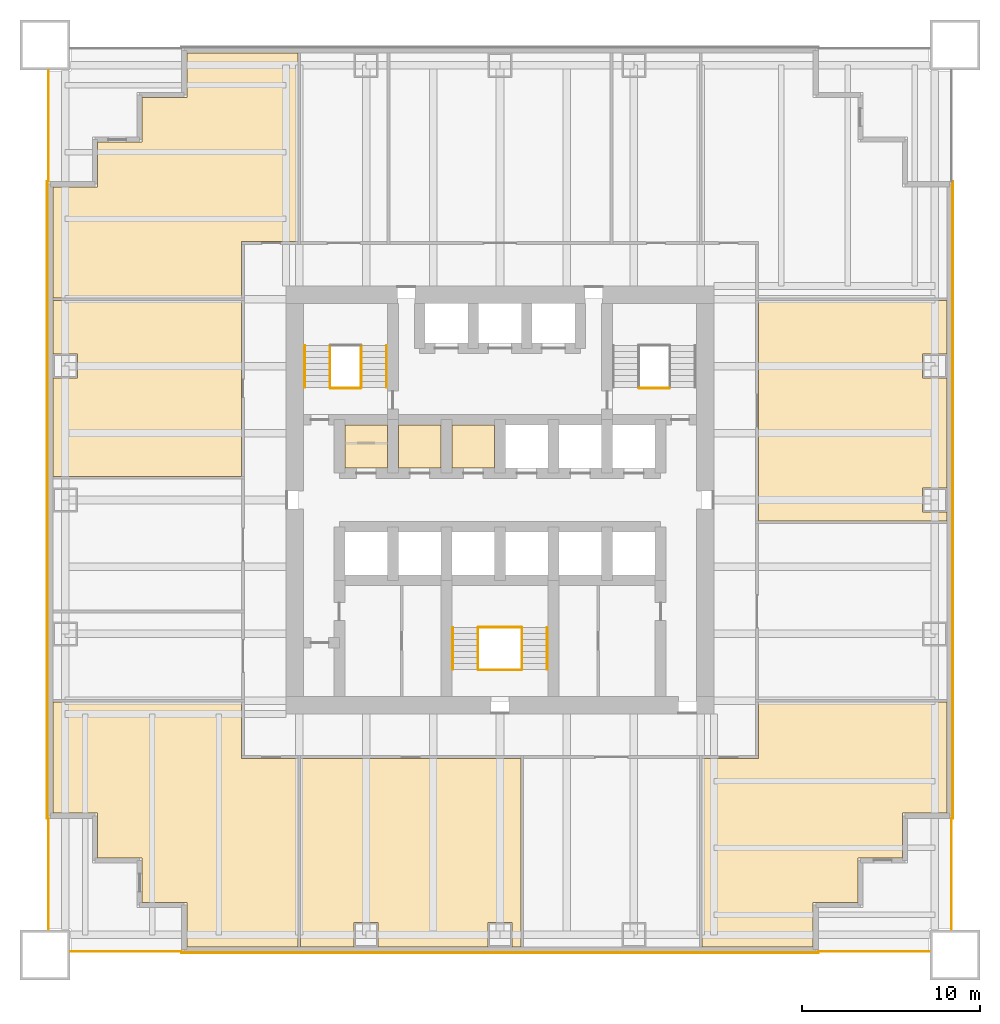
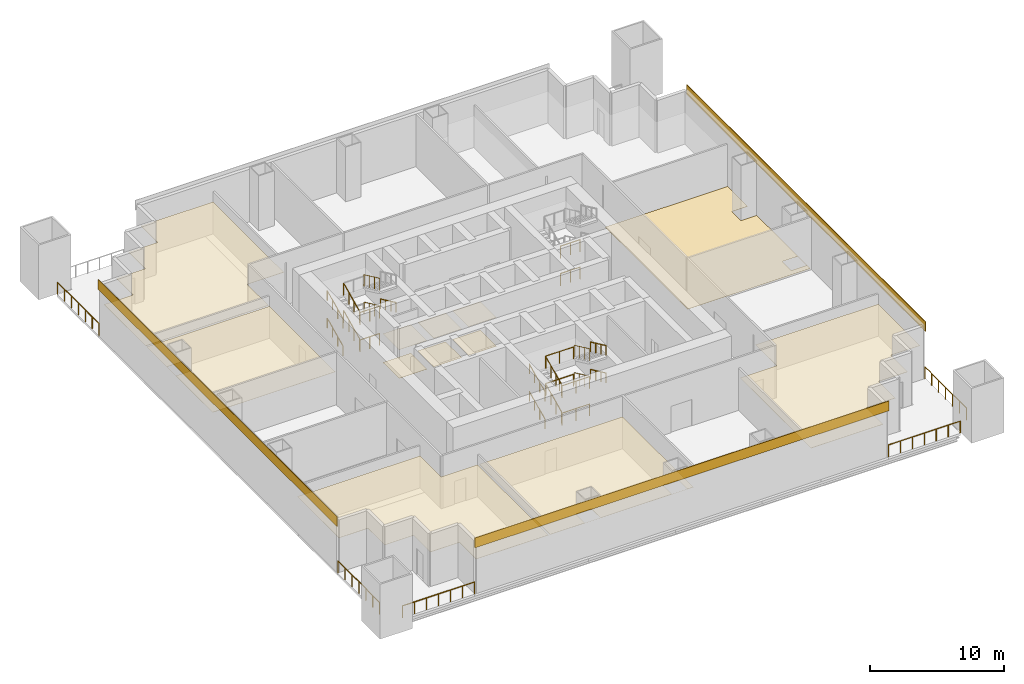
# One storey, part 5 of 6: 28 railings, 15 coverings.
"""IFC4 building model written with IfcOpenShell, lengths in metres."""

from ifc_helpers import new_model, si_unit, direction, frame, origin, origin_2d, place, context, subcontext, project, spatial, polyline, rectangle, circle, outline, extrude, material, layer, layer_set, type_object, element, save


model = new_model("IFC4")

# Units and contexts
model_context = context("Model", 3, precision=1e-05, world=origin(), true_north=direction((0.0, 1.0)))
body_context = subcontext(model_context, "Body", "Model", "MODEL_VIEW")
ifc_project = project(units=[si_unit("LENGTHUNIT", "METRE"), si_unit("AREAUNIT", "SQUARE_METRE"), si_unit("VOLUMEUNIT", "CUBIC_METRE"), si_unit("PLANEANGLEUNIT", "RADIAN"), si_unit("MASSUNIT", "GRAM", prefix="KILO")], contexts=[model_context])

# Site, building, storey
site_placement = place(None, origin())
site = spatial("IfcSite", under=ifc_project, at=site_placement, CompositionType="ELEMENT")
building_placement = place(site_placement, origin())
building = spatial("IfcBuilding", under=site, at=building_placement, Name="Tarangal Relay Tower", CompositionType="ELEMENT")
storey_placement = place(building_placement, frame((0.0, 0.0, 68.39990234375)))
storey = spatial("IfcBuildingStorey", under=building, at=storey_placement, Name="L13", CompositionType="ELEMENT", Elevation=68.39990234375)

# Coverings
ifc_material_1 = material(Name="Anti-static vinyl flooring", Category="plastic")
ifc_layer_1 = layer(ifc_material_1, 0.010009765625)
ifc_layer_set_1 = layer_set([ifc_layer_1], Name="Anti-static vinyl floor")
covering_type_1 = type_object("IfcCoveringType", Name="Anti-static vinyl floor", PredefinedType="FLOORING", material=ifc_layer_set_1)
covering_1_placement = place(storey_placement, origin())
element("IfcCovering", 1, at=covering_1_placement, inside=storey, type_object=covering_type_1, Name="Floor finish FL1 L13-D1", PredefinedType="FLOORING", context=body_context, shape_type="SweptSolid", body=[
    extrude(outline(polyline([(-8.699951171875, 1.800048828125), (-6.300048828125, 1.800048828125), (-6.300048828125, 4.199951171875), (-8.699951171875, 4.199951171875), (-8.699951171875, 1.800048828125)])), origin(), (0.0, 0.0, 1.0), 0.010009765625),
])
covering_2_placement = place(storey_placement, origin())
element("IfcCovering", 2, at=covering_2_placement, inside=storey, type_object=covering_type_1, Name="Floor finish FL1 L13-D2", PredefinedType="FLOORING", context=body_context, shape_type="SweptSolid", body=[
    extrude(outline(polyline([(-5.699951171875, 1.800048828125), (-3.300048828125, 1.800048828125), (-3.300048828125, 4.199951171875), (-5.699951171875, 4.199951171875), (-5.699951171875, 1.800048828125)])), origin(), (0.0, 0.0, 1.0), 0.010009765625),
])
covering_3_placement = place(storey_placement, origin())
element("IfcCovering", 3, at=covering_3_placement, inside=storey, type_object=covering_type_1, Name="Floor finish FL1 L13-D3", PredefinedType="FLOORING", context=body_context, shape_type="SweptSolid", body=[
    extrude(outline(polyline([(-2.699951171875, 1.800048828125), (-0.300048828125, 1.800048828125), (-0.300048828125, 4.199951171875), (-2.699951171875, 4.199951171875), (-2.699951171875, 1.800048828125)])), origin(), (0.0, 0.0, 1.0), 0.010009765625),
])
covering_4_placement = place(storey_placement, origin())
element("IfcCovering", 4, at=covering_4_placement, inside=storey, type_object=covering_type_1, Name="Floor finish FL1 L13-05", PredefinedType="FLOORING", context=body_context, shape_type="SweptSolid", body=[
    extrude(outline(polyline([(25.050048828125, -1.175048828125), (25.050048828125, 11.175048828125), (14.47509765625, 11.175048828125), (14.47509765625, -1.175048828125), (25.050048828125, -1.175048828125)]), holes=[polyline([(25.0400390625, -0.675048828125), (25.0400390625, 0.675048828125), (23.68994140625, 0.675048828125), (23.68994140625, -0.675048828125), (25.0400390625, -0.675048828125)]), polyline([(25.0400390625, 6.824951171875), (25.0400390625, 8.175048828125), (23.68994140625, 8.175048828125), (23.68994140625, 6.824951171875), (25.0400390625, 6.824951171875)])]), origin(), (0.0, 0.0, 1.0), 0.010009765625),
])
ifc_material_2 = material(Name="Black anodised aluminium cladding", Category="aluminium")
ifc_layer_2 = layer(ifc_material_2, 0.050048828125)
ifc_layer_set_2 = layer_set([ifc_layer_2], Name="Black metal spandrel band")
covering_type_2 = type_object("IfcCoveringType", Name="Black metal spandrel band", PredefinedType="CLADDING", material=ifc_layer_set_2)
for number, where, z_axis, x_axis, name in (
    (5, (25.375, 0.0, 4.250244140625), (0.0, 0.0, 1.0), (0.0, -1.0, 0.0), "Spandrel band SB1 E L13"),
    (6, (0.0, -25.375, 4.250244140625), (0.0, 0.0, 1.0), (-1.0, 0.0, 0.0), "Spandrel band SB1 S L13"),
    (7, (-25.375, 0.0, 4.250244140625), (0.0, 0.0, 1.0), (0.0, 1.0, 0.0), "Spandrel band SB1 W L13"),
):
    element("IfcCovering", number, at=place(storey_placement, frame(where, z_axis=z_axis, x_axis=x_axis)), inside=storey, type_object=covering_type_2, Name=name, PredefinedType="CLADDING", context=body_context, shape_type="SweptSolid", body=[
        extrude(rectangle(XDim=35.699951171875, YDim=0.050048828125, at=origin_2d()), origin(), (0.0, 0.0, 1.0), 0.89990234375),
    ])

# Railings
ifc_material_3 = material(Name="Steel guard, black finish", Category="steel")
railing_type_1 = type_object("IfcRailingType", Name="Stair guard 1100", PredefinedType="GUARDRAIL", material=ifc_material_3)
railing_1_placement = place(storey_placement, frame((-9.530029296875, 6.300048828125, 0.156494140625)))
element("IfcRailing", 8, at=railing_1_placement, inside=storey, type_object=railing_type_1, Name="Stair ST-A guard GR1 L13 flight 1", PredefinedType="GUARDRAIL", context=body_context, shape_type="SweptSolid", body=[
    extrude(circle(Radius=0.02392578125, at=origin_2d()), frame((0.0, 0.0, 1.076171875), z_axis=(0.0, 0.906303632821, 0.42262717037), x_axis=(-1.0, 0.0, 0.0)), (0.0, 0.0, 1.0), 2.58740234375),
    extrude(circle(Radius=0.02099609375, at=origin_2d()), origin(), (0.0, 0.0, 1.0), 1.052001953125),
    extrude(circle(Radius=0.02099609375, at=origin_2d()), frame((0.0, 0.78173828125, 0.364501953125)), (0.0, 0.0, 1.0), 1.052001953125),
    extrude(circle(Radius=0.02099609375, at=origin_2d()), frame((0.0, 1.563232421875, 0.72900390625)), (0.0, 0.0, 1.0), 1.052001953125),
    extrude(circle(Radius=0.02099609375, at=origin_2d()), frame((0.0, 2.344970703125, 1.093505859375)), (0.0, 0.0, 1.0), 1.052001953125),
])
railing_2_placement = place(storey_placement, frame((-7.77001953125, 8.64501953125, 1.406494140625)))
element("IfcRailing", 9, at=railing_2_placement, inside=storey, type_object=railing_type_1, Name="Stair ST-A guard GR1 L13 flight 2", PredefinedType="GUARDRAIL", context=body_context, shape_type="SweptSolid", body=[
    extrude(circle(Radius=0.02392578125, at=origin_2d()), frame((0.0, 0.0, 1.076171875), z_axis=(0.0, -0.906303632821, 0.42262717037), x_axis=(1.0, 0.0, 0.0)), (0.0, 0.0, 1.0), 2.58740234375),
    extrude(circle(Radius=0.02099609375, at=origin_2d()), origin(), (0.0, 0.0, 1.0), 1.052001953125),
    extrude(circle(Radius=0.02099609375, at=origin_2d()), frame((0.0, -0.78173828125, 0.364501953125)), (0.0, 0.0, 1.0), 1.052001953125),
    extrude(circle(Radius=0.02099609375, at=origin_2d()), frame((0.0, -1.563232421875, 0.72900390625)), (0.0, 0.0, 1.0), 1.052001953125),
    extrude(circle(Radius=0.02099609375, at=origin_2d()), frame((0.0, -2.344970703125, 1.093505859375)), (0.0, 0.0, 1.0), 1.052001953125),
])
railing_3_placement = place(storey_placement, frame((-9.530029296875, 6.300048828125, 2.656494140625)))
element("IfcRailing", 10, at=railing_3_placement, inside=storey, type_object=railing_type_1, Name="Stair ST-A guard GR1 L13 flight 3", PredefinedType="GUARDRAIL", context=body_context, shape_type="SweptSolid", body=[
    extrude(circle(Radius=0.02392578125, at=origin_2d()), frame((0.0, 0.0, 1.076171875), z_axis=(0.0, 0.906303632821, 0.42262717037), x_axis=(-1.0, 0.0, 0.0)), (0.0, 0.0, 1.0), 2.58740234375),
    extrude(circle(Radius=0.02099609375, at=origin_2d()), origin(), (0.0, 0.0, 1.0), 1.052001953125),
    extrude(circle(Radius=0.02099609375, at=origin_2d()), frame((0.0, 0.78173828125, 0.364501953125)), (0.0, 0.0, 1.0), 1.052001953125),
    extrude(circle(Radius=0.02099609375, at=origin_2d()), frame((0.0, 1.563232421875, 0.72900390625)), (0.0, 0.0, 1.0), 1.052001953125),
    extrude(circle(Radius=0.02099609375, at=origin_2d()), frame((0.0, 2.344970703125, 1.093505859375)), (0.0, 0.0, 1.0), 1.052001953125),
])
railing_4_placement = place(storey_placement, frame((-7.77001953125, 8.64501953125, 3.906494140625)))
element("IfcRailing", 11, at=railing_4_placement, inside=storey, type_object=railing_type_1, Name="Stair ST-A guard GR1 L13 flight 4", PredefinedType="GUARDRAIL", context=body_context, shape_type="SweptSolid", body=[
    extrude(circle(Radius=0.02392578125, at=origin_2d()), frame((0.0, 0.0, 1.076171875), z_axis=(0.0, -0.906303632821, 0.42262717037), x_axis=(1.0, 0.0, 0.0)), (0.0, 0.0, 1.0), 2.58740234375),
    extrude(circle(Radius=0.02099609375, at=origin_2d()), origin(), (0.0, 0.0, 1.0), 1.052001953125),
    extrude(circle(Radius=0.02099609375, at=origin_2d()), frame((0.0, -0.78173828125, 0.364501953125)), (0.0, 0.0, 1.0), 1.052001953125),
    extrude(circle(Radius=0.02099609375, at=origin_2d()), frame((0.0, -1.563232421875, 0.72900390625)), (0.0, 0.0, 1.0), 1.052001953125),
    extrude(circle(Radius=0.02099609375, at=origin_2d()), frame((0.0, -2.344970703125, 1.093505859375)), (0.0, 0.0, 1.0), 1.052001953125),
])
for number, where, name in (
    (12, (-9.5, 6.27001953125, 0.0), "Stair ST-A landing guard GR1 L13"),
    (13, (-9.5, 6.27001953125, 2.5), "Stair ST-A landing guard GR1 L13"),
    (14, (7.800048828125, 6.27001953125, 0.0), "Stair ST-B landing guard GR1 L13"),
    (15, (7.800048828125, 6.27001953125, 2.5), "Stair ST-B landing guard GR1 L13"),
):
    element("IfcRailing", number, at=place(storey_placement, frame(where)), inside=storey, type_object=railing_type_1, Name=name, PredefinedType="GUARDRAIL", context=body_context, shape_type="SweptSolid", body=[
        extrude(circle(Radius=0.02392578125, at=origin_2d()), frame((0.0, 0.0, 1.076171875), z_axis=(1.0, 0.0, 0.0), x_axis=(0.0, 1.0, 0.0)), (0.0, 0.0, 1.0), 1.699951171875),
        extrude(circle(Radius=0.02099609375, at=origin_2d()), origin(), (0.0, 0.0, 1.0), 1.052001953125),
        extrude(circle(Radius=0.02099609375, at=origin_2d()), frame((0.85009765625, 0.0, 0.0)), (0.0, 0.0, 1.0), 1.052001953125),
        extrude(circle(Radius=0.02099609375, at=origin_2d()), frame((1.699951171875, 0.0, 0.0)), (0.0, 0.0, 1.0), 1.052001953125),
    ])
railing_5_placement = place(storey_placement, frame((-1.22998046875, -9.5, 0.156494140625)))
element("IfcRailing", 16, at=railing_5_placement, inside=storey, type_object=railing_type_1, Name="Stair ST-C guard GR1 L13 flight 1", PredefinedType="GUARDRAIL", context=body_context, shape_type="SweptSolid", body=[
    extrude(circle(Radius=0.02392578125, at=origin_2d()), frame((0.0, 0.0, 1.076171875), z_axis=(0.0, 0.906303632821, 0.42262717037), x_axis=(-1.0, 0.0, 0.0)), (0.0, 0.0, 1.0), 2.58740234375),
    extrude(circle(Radius=0.02099609375, at=origin_2d()), origin(), (0.0, 0.0, 1.0), 1.052001953125),
    extrude(circle(Radius=0.02099609375, at=origin_2d()), frame((0.0, 0.78173828125, 0.364501953125)), (0.0, 0.0, 1.0), 1.052001953125),
    extrude(circle(Radius=0.02099609375, at=origin_2d()), frame((0.0, 1.563232421875, 0.72900390625)), (0.0, 0.0, 1.0), 1.052001953125),
    extrude(circle(Radius=0.02099609375, at=origin_2d()), frame((0.0, 2.344970703125, 1.093505859375)), (0.0, 0.0, 1.0), 1.052001953125),
])
railing_6_placement = place(storey_placement, frame((1.22998046875, -7.155029296875, 1.406494140625)))
element("IfcRailing", 17, at=railing_6_placement, inside=storey, type_object=railing_type_1, Name="Stair ST-C guard GR1 L13 flight 2", PredefinedType="GUARDRAIL", context=body_context, shape_type="SweptSolid", body=[
    extrude(circle(Radius=0.02392578125, at=origin_2d()), frame((0.0, 0.0, 1.076171875), z_axis=(0.0, -0.906303632821, 0.42262717037), x_axis=(1.0, 0.0, 0.0)), (0.0, 0.0, 1.0), 2.58740234375),
    extrude(circle(Radius=0.02099609375, at=origin_2d()), origin(), (0.0, 0.0, 1.0), 1.052001953125),
    extrude(circle(Radius=0.02099609375, at=origin_2d()), frame((0.0, -0.78173828125, 0.364501953125)), (0.0, 0.0, 1.0), 1.052001953125),
    extrude(circle(Radius=0.02099609375, at=origin_2d()), frame((0.0, -1.563232421875, 0.72900390625)), (0.0, 0.0, 1.0), 1.052001953125),
    extrude(circle(Radius=0.02099609375, at=origin_2d()), frame((0.0, -2.344970703125, 1.093505859375)), (0.0, 0.0, 1.0), 1.052001953125),
])
railing_7_placement = place(storey_placement, frame((-1.22998046875, -9.5, 2.656494140625)))
element("IfcRailing", 18, at=railing_7_placement, inside=storey, type_object=railing_type_1, Name="Stair ST-C guard GR1 L13 flight 3", PredefinedType="GUARDRAIL", context=body_context, shape_type="SweptSolid", body=[
    extrude(circle(Radius=0.02392578125, at=origin_2d()), frame((0.0, 0.0, 1.076171875), z_axis=(0.0, 0.906303632821, 0.42262717037), x_axis=(-1.0, 0.0, 0.0)), (0.0, 0.0, 1.0), 2.58740234375),
    extrude(circle(Radius=0.02099609375, at=origin_2d()), origin(), (0.0, 0.0, 1.0), 1.052001953125),
    extrude(circle(Radius=0.02099609375, at=origin_2d()), frame((0.0, 0.78173828125, 0.364501953125)), (0.0, 0.0, 1.0), 1.052001953125),
    extrude(circle(Radius=0.02099609375, at=origin_2d()), frame((0.0, 1.563232421875, 0.72900390625)), (0.0, 0.0, 1.0), 1.052001953125),
    extrude(circle(Radius=0.02099609375, at=origin_2d()), frame((0.0, 2.344970703125, 1.093505859375)), (0.0, 0.0, 1.0), 1.052001953125),
])
railing_8_placement = place(storey_placement, frame((1.22998046875, -7.155029296875, 3.906494140625)))
element("IfcRailing", 19, at=railing_8_placement, inside=storey, type_object=railing_type_1, Name="Stair ST-C guard GR1 L13 flight 4", PredefinedType="GUARDRAIL", context=body_context, shape_type="SweptSolid", body=[
    extrude(circle(Radius=0.02392578125, at=origin_2d()), frame((0.0, 0.0, 1.076171875), z_axis=(0.0, -0.906303632821, 0.42262717037), x_axis=(1.0, 0.0, 0.0)), (0.0, 0.0, 1.0), 2.58740234375),
    extrude(circle(Radius=0.02099609375, at=origin_2d()), origin(), (0.0, 0.0, 1.0), 1.052001953125),
    extrude(circle(Radius=0.02099609375, at=origin_2d()), frame((0.0, -0.78173828125, 0.364501953125)), (0.0, 0.0, 1.0), 1.052001953125),
    extrude(circle(Radius=0.02099609375, at=origin_2d()), frame((0.0, -1.563232421875, 0.72900390625)), (0.0, 0.0, 1.0), 1.052001953125),
    extrude(circle(Radius=0.02099609375, at=origin_2d()), frame((0.0, -2.344970703125, 1.093505859375)), (0.0, 0.0, 1.0), 1.052001953125),
])
for number, where, name in (
    (20, (-1.199951171875, -9.530029296875, 0.0), "Stair ST-C landing guard GR1 L13"),
    (21, (-1.199951171875, -7.125, 1.25), "Stair ST-C landing guard GR1 L13"),
    (22, (-1.199951171875, -9.530029296875, 2.5), "Stair ST-C landing guard GR1 L13"),
    (23, (-1.199951171875, -7.125, 3.75), "Stair ST-C landing guard GR1 L13"),
):
    element("IfcRailing", number, at=place(storey_placement, frame(where)), inside=storey, type_object=railing_type_1, Name=name, PredefinedType="GUARDRAIL", context=body_context, shape_type="SweptSolid", body=[
        extrude(circle(Radius=0.02392578125, at=origin_2d()), frame((0.0, 0.0, 1.076171875), z_axis=(1.0, 0.0, 0.0), x_axis=(0.0, 1.0, 0.0)), (0.0, 0.0, 1.0), 2.39990234375),
        extrude(circle(Radius=0.02099609375, at=origin_2d()), origin(), (0.0, 0.0, 1.0), 1.052001953125),
        extrude(circle(Radius=0.02099609375, at=origin_2d()), frame((1.199951171875, 0.0, 0.0)), (0.0, 0.0, 1.0), 1.052001953125),
        extrude(circle(Radius=0.02099609375, at=origin_2d()), frame((2.39990234375, 0.0, 0.0)), (0.0, 0.0, 1.0), 1.052001953125),
    ])
ifc_material_4 = material(Name="Steel handrail, black finish", Category="steel")
railing_type_2 = type_object("IfcRailingType", Name="Stair handrail 900", PredefinedType="HANDRAIL", material=ifc_material_4)
railing_9_placement = place(storey_placement, frame((-10.93994140625, 6.300048828125, 0.156494140625)))
element("IfcRailing", 24, at=railing_9_placement, inside=storey, type_object=railing_type_2, Name="Stair ST-A handrail HR1 L13 flight 1", PredefinedType="HANDRAIL", context=body_context, shape_type="SweptSolid", body=[
    extrude(circle(Radius=0.02392578125, at=origin_2d()), frame((0.0, 0.0, 0.8759765625), z_axis=(0.0, 0.906303632821, 0.42262717037), x_axis=(-1.0, 0.0, 0.0)), (0.0, 0.0, 1.0), 2.58740234375),
    extrude(circle(Radius=0.02099609375, at=origin_2d()), origin(), (0.0, 0.0, 1.0), 0.851806640625),
    extrude(circle(Radius=0.02099609375, at=origin_2d()), frame((0.0, 0.78173828125, 0.364501953125)), (0.0, 0.0, 1.0), 0.851806640625),
    extrude(circle(Radius=0.02099609375, at=origin_2d()), frame((0.0, 1.563232421875, 0.72900390625)), (0.0, 0.0, 1.0), 0.851806640625),
    extrude(circle(Radius=0.02099609375, at=origin_2d()), frame((0.0, 2.344970703125, 1.093505859375)), (0.0, 0.0, 1.0), 0.851806640625),
])
railing_10_placement = place(storey_placement, frame((-6.360107421875, 8.64501953125, 1.406494140625)))
element("IfcRailing", 25, at=railing_10_placement, inside=storey, type_object=railing_type_2, Name="Stair ST-A handrail HR1 L13 flight 2", PredefinedType="HANDRAIL", context=body_context, shape_type="SweptSolid", body=[
    extrude(circle(Radius=0.02392578125, at=origin_2d()), frame((0.0, 0.0, 0.8759765625), z_axis=(0.0, -0.906303632821, 0.42262717037), x_axis=(1.0, 0.0, 0.0)), (0.0, 0.0, 1.0), 2.58740234375),
    extrude(circle(Radius=0.02099609375, at=origin_2d()), origin(), (0.0, 0.0, 1.0), 0.851806640625),
    extrude(circle(Radius=0.02099609375, at=origin_2d()), frame((0.0, -0.78173828125, 0.364501953125)), (0.0, 0.0, 1.0), 0.851806640625),
    extrude(circle(Radius=0.02099609375, at=origin_2d()), frame((0.0, -1.563232421875, 0.72900390625)), (0.0, 0.0, 1.0), 0.851806640625),
    extrude(circle(Radius=0.02099609375, at=origin_2d()), frame((0.0, -2.344970703125, 1.093505859375)), (0.0, 0.0, 1.0), 0.851806640625),
])
for number, where, name in (
    (26, (-10.93994140625, 6.300048828125, 2.656494140625), "Stair ST-A handrail HR1 L13 flight 3"),
    (27, (-2.639892578125, -9.5, 0.156494140625), "Stair ST-C handrail HR1 L13 flight 1"),
):
    element("IfcRailing", number, at=place(storey_placement, frame(where)), inside=storey, type_object=railing_type_2, Name=name, PredefinedType="HANDRAIL", context=body_context, shape_type="SweptSolid", body=[
        extrude(circle(Radius=0.02392578125, at=origin_2d()), frame((0.0, 0.0, 0.8759765625), z_axis=(0.0, 0.906303632821, 0.42262717037), x_axis=(-1.0, 0.0, 0.0)), (0.0, 0.0, 1.0), 2.58740234375),
        extrude(circle(Radius=0.02099609375, at=origin_2d()), origin(), (0.0, 0.0, 1.0), 0.851806640625),
        extrude(circle(Radius=0.02099609375, at=origin_2d()), frame((0.0, 0.78173828125, 0.364501953125)), (0.0, 0.0, 1.0), 0.851806640625),
        extrude(circle(Radius=0.02099609375, at=origin_2d()), frame((0.0, 1.563232421875, 0.72900390625)), (0.0, 0.0, 1.0), 0.851806640625),
        extrude(circle(Radius=0.02099609375, at=origin_2d()), frame((0.0, 2.344970703125, 1.093505859375)), (0.0, 0.0, 1.0), 0.851806640625),
    ])
railing_11_placement = place(storey_placement, frame((2.639892578125, -7.155029296875, 1.406494140625)))
element("IfcRailing", 28, at=railing_11_placement, inside=storey, type_object=railing_type_2, Name="Stair ST-C handrail HR1 L13 flight 2", PredefinedType="HANDRAIL", context=body_context, shape_type="SweptSolid", body=[
    extrude(circle(Radius=0.02392578125, at=origin_2d()), frame((0.0, 0.0, 0.8759765625), z_axis=(0.0, -0.906303632821, 0.42262717037), x_axis=(1.0, 0.0, 0.0)), (0.0, 0.0, 1.0), 2.58740234375),
    extrude(circle(Radius=0.02099609375, at=origin_2d()), origin(), (0.0, 0.0, 1.0), 0.851806640625),
    extrude(circle(Radius=0.02099609375, at=origin_2d()), frame((0.0, -0.78173828125, 0.364501953125)), (0.0, 0.0, 1.0), 0.851806640625),
    extrude(circle(Radius=0.02099609375, at=origin_2d()), frame((0.0, -1.563232421875, 0.72900390625)), (0.0, 0.0, 1.0), 0.851806640625),
    extrude(circle(Radius=0.02099609375, at=origin_2d()), frame((0.0, -2.344970703125, 1.093505859375)), (0.0, 0.0, 1.0), 0.851806640625),
])
railing_12_placement = place(storey_placement, frame((-2.639892578125, -9.5, 2.656494140625)))
element("IfcRailing", 29, at=railing_12_placement, inside=storey, type_object=railing_type_2, Name="Stair ST-C handrail HR1 L13 flight 3", PredefinedType="HANDRAIL", context=body_context, shape_type="SweptSolid", body=[
    extrude(circle(Radius=0.02392578125, at=origin_2d()), frame((0.0, 0.0, 0.8759765625), z_axis=(0.0, 0.906303632821, 0.42262717037), x_axis=(-1.0, 0.0, 0.0)), (0.0, 0.0, 1.0), 2.58740234375),
    extrude(circle(Radius=0.02099609375, at=origin_2d()), origin(), (0.0, 0.0, 1.0), 0.851806640625),
    extrude(circle(Radius=0.02099609375, at=origin_2d()), frame((0.0, 0.78173828125, 0.364501953125)), (0.0, 0.0, 1.0), 0.851806640625),
    extrude(circle(Radius=0.02099609375, at=origin_2d()), frame((0.0, 1.563232421875, 0.72900390625)), (0.0, 0.0, 1.0), 0.851806640625),
    extrude(circle(Radius=0.02099609375, at=origin_2d()), frame((0.0, 2.344970703125, 1.093505859375)), (0.0, 0.0, 1.0), 0.851806640625),
])
railing_13_placement = place(storey_placement, frame((2.639892578125, -7.155029296875, 3.906494140625)))
element("IfcRailing", 30, at=railing_13_placement, inside=storey, type_object=railing_type_2, Name="Stair ST-C handrail HR1 L13 flight 4", PredefinedType="HANDRAIL", context=body_context, shape_type="SweptSolid", body=[
    extrude(circle(Radius=0.02392578125, at=origin_2d()), frame((0.0, 0.0, 0.8759765625), z_axis=(0.0, -0.906303632821, 0.42262717037), x_axis=(1.0, 0.0, 0.0)), (0.0, 0.0, 1.0), 2.58740234375),
    extrude(circle(Radius=0.02099609375, at=origin_2d()), origin(), (0.0, 0.0, 1.0), 0.851806640625),
    extrude(circle(Radius=0.02099609375, at=origin_2d()), frame((0.0, -0.78173828125, 0.364501953125)), (0.0, 0.0, 1.0), 0.851806640625),
    extrude(circle(Radius=0.02099609375, at=origin_2d()), frame((0.0, -1.563232421875, 0.72900390625)), (0.0, 0.0, 1.0), 0.851806640625),
    extrude(circle(Radius=0.02099609375, at=origin_2d()), frame((0.0, -2.344970703125, 1.093505859375)), (0.0, 0.0, 1.0), 0.851806640625),
])

# Coverings
ifc_material_5 = material(Name="Mineral fibre ceiling tiles", Category="gypsum")
ifc_layer_3 = layer(ifc_material_5, 0.02001953125)
ifc_layer_set_3 = layer_set([ifc_layer_3], Name="Suspended ceiling")
covering_type_3 = type_object("IfcCoveringType", Name="Suspended ceiling", PredefinedType="CEILING", material=ifc_layer_set_3)
covering_5_placement = place(storey_placement, frame((0.0, 0.0, 2.60009765625)))
element("IfcCovering", 31, at=covering_5_placement, inside=storey, type_object=covering_type_3, Name="Suspended ceiling CL1 L13-D1", PredefinedType="CEILING", context=body_context, shape_type="SweptSolid", body=[
    extrude(outline(polyline([(-8.699951171875, 1.800048828125), (-6.300048828125, 1.800048828125), (-6.300048828125, 4.199951171875), (-8.699951171875, 4.199951171875), (-8.699951171875, 1.800048828125)])), origin(), (0.0, 0.0, 1.0), 0.02001953125),
])
covering_6_placement = place(storey_placement, frame((0.0, 0.0, 2.60009765625)))
element("IfcCovering", 32, at=covering_6_placement, inside=storey, type_object=covering_type_3, Name="Suspended ceiling CL1 L13-D2", PredefinedType="CEILING", context=body_context, shape_type="SweptSolid", body=[
    extrude(outline(polyline([(-5.699951171875, 1.800048828125), (-3.300048828125, 1.800048828125), (-3.300048828125, 4.199951171875), (-5.699951171875, 4.199951171875), (-5.699951171875, 1.800048828125)])), origin(), (0.0, 0.0, 1.0), 0.02001953125),
])
covering_7_placement = place(storey_placement, frame((0.0, 0.0, 2.60009765625)))
element("IfcCovering", 33, at=covering_7_placement, inside=storey, type_object=covering_type_3, Name="Suspended ceiling CL1 L13-D3", PredefinedType="CEILING", context=body_context, shape_type="SweptSolid", body=[
    extrude(outline(polyline([(-2.699951171875, 1.800048828125), (-0.300048828125, 1.800048828125), (-0.300048828125, 4.199951171875), (-2.699951171875, 4.199951171875), (-2.699951171875, 1.800048828125)])), origin(), (0.0, 0.0, 1.0), 0.02001953125),
])
covering_8_placement = place(storey_placement, frame((0.0, 0.0, 2.900146484375)))
element("IfcCovering", 34, at=covering_8_placement, inside=storey, type_object=covering_type_3, Name="Suspended ceiling CL1 L13-08", PredefinedType="CEILING", context=body_context, shape_type="SweptSolid", body=[
    extrude(outline(polyline([(-11.175048828125, -25.050048828125), (1.175048828125, -25.050048828125), (1.175048828125, -14.47509765625), (-11.175048828125, -14.47509765625), (-11.175048828125, -25.050048828125)]), holes=[polyline([(-6.824951171875, -25.0400390625), (-6.824951171875, -23.68994140625), (-8.175048828125, -23.68994140625), (-8.175048828125, -25.0400390625), (-6.824951171875, -25.0400390625)]), polyline([(0.675048828125, -25.0400390625), (0.675048828125, -23.68994140625), (-0.675048828125, -23.68994140625), (-0.675048828125, -25.0400390625), (0.675048828125, -25.0400390625)])]), origin(), (0.0, 0.0, 1.0), 0.02001953125),
])
covering_9_placement = place(storey_placement, frame((0.0, 0.0, 2.900146484375)))
element("IfcCovering", 35, at=covering_9_placement, inside=storey, type_object=covering_type_3, Name="Suspended ceiling CL1 L13-11", PredefinedType="CEILING", context=body_context, shape_type="SweptSolid", body=[
    extrude(outline(polyline([(-25.050048828125, 11.175048828125), (-25.050048828125, 1.324951171875), (-14.47509765625, 1.324951171875), (-14.47509765625, 11.175048828125), (-25.050048828125, 11.175048828125)]), holes=[polyline([(-23.68994140625, 8.175048828125), (-25.0400390625, 8.175048828125), (-25.0400390625, 6.824951171875), (-23.68994140625, 6.824951171875), (-23.68994140625, 8.175048828125)])]), origin(), (0.0, 0.0, 1.0), 0.02001953125),
])
covering_10_placement = place(storey_placement, frame((0.0, 0.0, 2.900146484375)))
element("IfcCovering", 36, at=covering_10_placement, inside=storey, type_object=covering_type_3, Name="Suspended ceiling CL1 L13-13", PredefinedType="CEILING", context=body_context, shape_type="SweptSolid", body=[
    extrude(outline(polyline([(25.050048828125, -17.550048828125), (25.050048828125, -11.324951171875), (14.47509765625, -11.324951171875), (14.47509765625, -14.47509765625), (11.324951171875, -14.47509765625), (11.324951171875, -25.050048828125), (17.550048828125, -25.050048828125), (17.550048828125, -22.550048828125), (20.050048828125, -22.550048828125), (20.050048828125, -20.050048828125), (22.550048828125, -20.050048828125), (22.550048828125, -17.550048828125), (25.050048828125, -17.550048828125)])), origin(), (0.0, 0.0, 1.0), 0.02001953125),
])
covering_11_placement = place(storey_placement, frame((0.0, 0.0, 2.900146484375)))
element("IfcCovering", 37, at=covering_11_placement, inside=storey, type_object=covering_type_3, Name="Suspended ceiling CL1 L13-14", PredefinedType="CEILING", context=body_context, shape_type="SweptSolid", body=[
    extrude(outline(polyline([(-17.550048828125, -22.550048828125), (-17.550048828125, -25.050048828125), (-11.324951171875, -25.050048828125), (-11.324951171875, -14.47509765625), (-14.47509765625, -14.47509765625), (-14.47509765625, -11.324951171875), (-25.050048828125, -11.324951171875), (-25.050048828125, -17.550048828125), (-22.550048828125, -17.550048828125), (-22.550048828125, -20.050048828125), (-20.050048828125, -20.050048828125), (-20.050048828125, -22.550048828125), (-17.550048828125, -22.550048828125)])), origin(), (0.0, 0.0, 1.0), 0.02001953125),
])
covering_12_placement = place(storey_placement, frame((0.0, 0.0, 2.900146484375)))
element("IfcCovering", 38, at=covering_12_placement, inside=storey, type_object=covering_type_3, Name="Suspended ceiling CL1 L13-15", PredefinedType="CEILING", context=body_context, shape_type="SweptSolid", body=[
    extrude(outline(polyline([(-22.550048828125, 17.550048828125), (-25.050048828125, 17.550048828125), (-25.050048828125, 11.324951171875), (-14.47509765625, 11.324951171875), (-14.47509765625, 14.47509765625), (-11.324951171875, 14.47509765625), (-11.324951171875, 25.050048828125), (-17.550048828125, 25.050048828125), (-17.550048828125, 22.550048828125), (-20.050048828125, 22.550048828125), (-20.050048828125, 20.050048828125), (-22.550048828125, 20.050048828125), (-22.550048828125, 17.550048828125)])), origin(), (0.0, 0.0, 1.0), 0.02001953125),
])

# Railings
ifc_material_6 = material(Name="Black steel guard with glass infill", Category="steel")
railing_type_3 = type_object("IfcRailingType", Name="Terrace guard 1100", PredefinedType="GUARDRAIL", material=ifc_material_6)
railing_14_placement = place(storey_placement, frame((25.300048828125, -17.85009765625, 0.0)))
element("IfcRailing", 39, at=railing_14_placement, inside=storey, type_object=railing_type_3, Name="Terrace guard GR2 SE L13", PredefinedType="GUARDRAIL", context=body_context, shape_type="SweptSolid", body=[
    extrude(circle(Radius=0.02392578125, at=origin_2d()), frame((0.0, 0.0, 1.076171875), z_axis=(0.0, -1.0, 0.0), x_axis=(1.0, 0.0, 0.0)), (0.0, 0.0, 1.0), 6.199951171875),
    extrude(circle(Radius=0.02099609375, at=origin_2d()), origin(), (0.0, 0.0, 1.0), 1.052001953125),
    extrude(circle(Radius=0.02099609375, at=origin_2d()), frame((0.0, -1.033203125, 0.0)), (0.0, 0.0, 1.0), 1.052001953125),
    extrude(circle(Radius=0.02099609375, at=origin_2d()), frame((0.0, -2.066650390625, 0.0)), (0.0, 0.0, 1.0), 1.052001953125),
    extrude(circle(Radius=0.02099609375, at=origin_2d()), frame((0.0, -3.10009765625, 0.0)), (0.0, 0.0, 1.0), 1.052001953125),
    extrude(circle(Radius=0.02099609375, at=origin_2d()), frame((0.0, -4.13330078125, 0.0)), (0.0, 0.0, 1.0), 1.052001953125),
    extrude(circle(Radius=0.02099609375, at=origin_2d()), frame((0.0, -5.16650390625, 0.0)), (0.0, 0.0, 1.0), 1.052001953125),
    extrude(circle(Radius=0.02099609375, at=origin_2d()), frame((0.0, -6.199951171875, 0.0)), (0.0, 0.0, 1.0), 1.052001953125),
])
for number, where, name in (
    (40, (24.050048828125, -25.300048828125, 0.0), "Terrace guard GR2 SE L13"),
    (41, (-17.85009765625, -25.300048828125, 0.0), "Terrace guard GR2 SW L13"),
):
    element("IfcRailing", number, at=place(storey_placement, frame(where)), inside=storey, type_object=railing_type_3, Name=name, PredefinedType="GUARDRAIL", context=body_context, shape_type="SweptSolid", body=[
        extrude(circle(Radius=0.02392578125, at=origin_2d()), frame((0.0, 0.0, 1.076171875), z_axis=(-1.0, 0.0, 0.0), x_axis=(0.0, -1.0, 0.0)), (0.0, 0.0, 1.0), 6.199951171875),
        extrude(circle(Radius=0.02099609375, at=origin_2d()), origin(), (0.0, 0.0, 1.0), 1.052001953125),
        extrude(circle(Radius=0.02099609375, at=origin_2d()), frame((-1.033203125, 0.0, 0.0)), (0.0, 0.0, 1.0), 1.052001953125),
        extrude(circle(Radius=0.02099609375, at=origin_2d()), frame((-2.066650390625, 0.0, 0.0)), (0.0, 0.0, 1.0), 1.052001953125),
        extrude(circle(Radius=0.02099609375, at=origin_2d()), frame((-3.10009765625, 0.0, 0.0)), (0.0, 0.0, 1.0), 1.052001953125),
        extrude(circle(Radius=0.02099609375, at=origin_2d()), frame((-4.13330078125, 0.0, 0.0)), (0.0, 0.0, 1.0), 1.052001953125),
        extrude(circle(Radius=0.02099609375, at=origin_2d()), frame((-5.16650390625, 0.0, 0.0)), (0.0, 0.0, 1.0), 1.052001953125),
        extrude(circle(Radius=0.02099609375, at=origin_2d()), frame((-6.199951171875, 0.0, 0.0)), (0.0, 0.0, 1.0), 1.052001953125),
    ])
for number, where, name in (
    (42, (-25.300048828125, -24.050048828125, 0.0), "Terrace guard GR2 SW L13"),
    (43, (-25.300048828125, 17.85009765625, 0.0), "Terrace guard GR2 NW L13"),
):
    element("IfcRailing", number, at=place(storey_placement, frame(where)), inside=storey, type_object=railing_type_3, Name=name, PredefinedType="GUARDRAIL", context=body_context, shape_type="SweptSolid", body=[
        extrude(circle(Radius=0.02392578125, at=origin_2d()), frame((0.0, 0.0, 1.076171875), z_axis=(0.0, 1.0, 0.0), x_axis=(-1.0, 0.0, 0.0)), (0.0, 0.0, 1.0), 6.199951171875),
        extrude(circle(Radius=0.02099609375, at=origin_2d()), origin(), (0.0, 0.0, 1.0), 1.052001953125),
        extrude(circle(Radius=0.02099609375, at=origin_2d()), frame((0.0, 1.033203125, 0.0)), (0.0, 0.0, 1.0), 1.052001953125),
        extrude(circle(Radius=0.02099609375, at=origin_2d()), frame((0.0, 2.066650390625, 0.0)), (0.0, 0.0, 1.0), 1.052001953125),
        extrude(circle(Radius=0.02099609375, at=origin_2d()), frame((0.0, 3.10009765625, 0.0)), (0.0, 0.0, 1.0), 1.052001953125),
        extrude(circle(Radius=0.02099609375, at=origin_2d()), frame((0.0, 4.13330078125, 0.0)), (0.0, 0.0, 1.0), 1.052001953125),
        extrude(circle(Radius=0.02099609375, at=origin_2d()), frame((0.0, 5.16650390625, 0.0)), (0.0, 0.0, 1.0), 1.052001953125),
        extrude(circle(Radius=0.02099609375, at=origin_2d()), frame((0.0, 6.199951171875, 0.0)), (0.0, 0.0, 1.0), 1.052001953125),
    ])

save(model, "model.ifc")
